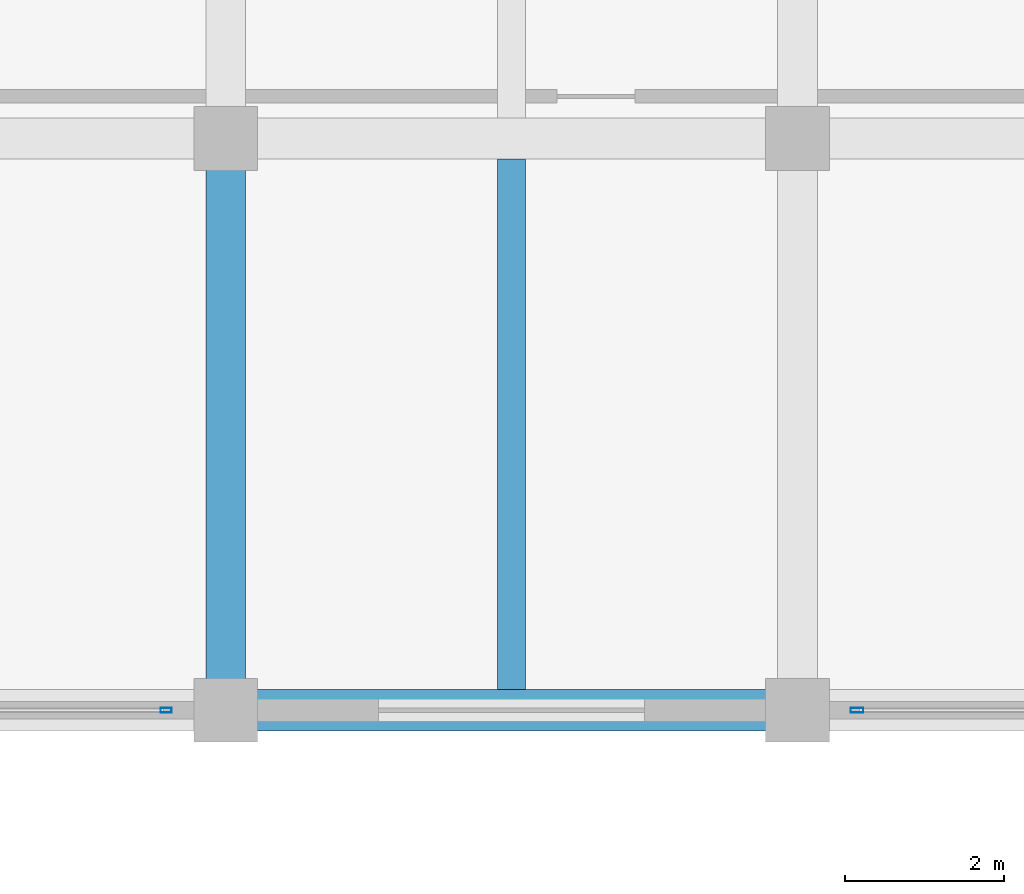
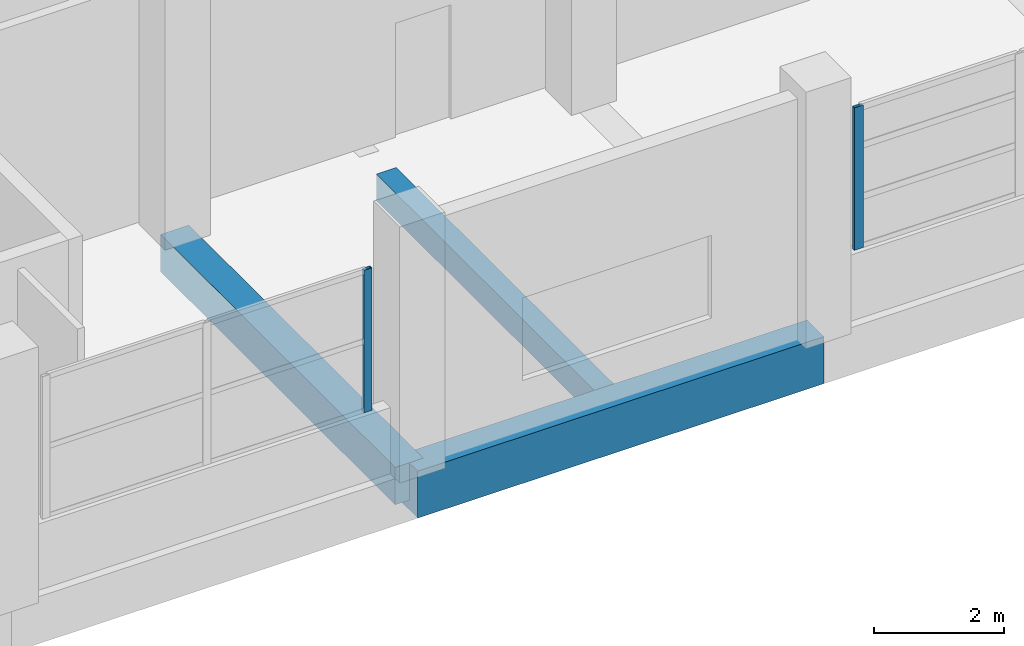
# One storey, part 68 of 140: 3 beams, 2 members, 2 elements without a shape of their own.
"""IFC4 building model written with IfcOpenShell, lengths in metres."""

import ifcopenshell
import ifcopenshell.guid

model = None  # the IFC model being written
_history = None  # IfcOwnerHistory: only IFC2X3 demands one
_inside = {}  # id of a spatial element -> (the spatial element, [elements in it])
_under = {}  # id of a project, library or spatial element -> (it, [spatial elements below it])
_declared = {}  # id of a project -> (the project, [libraries it declares])
_typed = {}  # id of a type object -> (the type object, [elements of that type])
_made_of = {}  # id of a material, layer set ... -> (it, [elements and type objects made of it])


def new_model(schema):
    """Start an empty IFC model of exactly this schema.

    Asked for "IFC4X3", IfcOpenShell would pick the latest addendum, in which some entities
    have other attributes; the version numbers below select the first issue.
    IFC2X3 requires an IfcOwnerHistory on every rooted entity: one is made here for all.
    """
    global model, _history
    if schema == "IFC4X3":
        model = ifcopenshell.file(schema_version=(4, 3, 0, 0))
    else:
        model = ifcopenshell.file(schema=schema)
    _inside.clear()
    _under.clear()
    _declared.clear()
    _typed.clear()
    _made_of.clear()
    _history = None
    if model.schema == "IFC2X3":
        org = make("IfcOrganization", Name="unknown")
        user = make(
            "IfcPersonAndOrganization",
            ThePerson=make("IfcPerson", FamilyName="unknown"),
            TheOrganization=org,
        )
        app = make(
            "IfcApplication",
            ApplicationDeveloper=org,
            Version="unknown",
            ApplicationFullName="unknown",
            ApplicationIdentifier="unknown",
        )
        _history = make(
            "IfcOwnerHistory",
            OwningUser=user,
            OwningApplication=app,
            ChangeAction="ADDED",
            CreationDate=0,
        )
    return model


def make(cls, **values):
    """One entity of the class cls with the attributes given. An attribute that is None is left unset."""
    return model.create_entity(
        cls, **{name: value for name, value in values.items() if value is not None}
    )


def rooted(cls, **values):
    """An entity with a GlobalId (a new one), such as an element, a storey or a relation."""
    return make(cls, GlobalId=ifcopenshell.guid.new(), OwnerHistory=_history, **values)


def si_unit(unit_type, name, prefix=None):
    """IfcSIUnit, for example si_unit("LENGTHUNIT", "METRE", prefix="MILLI")."""
    return make("IfcSIUnit", UnitType=unit_type, Prefix=prefix, Name=name)


def assignment(units):
    """IfcUnitAssignment: the units of a project."""
    return None if units is None else make("IfcUnitAssignment", Units=units)


def point(xyz):
    """IfcCartesianPoint."""
    return None if xyz is None else make("IfcCartesianPoint", Coordinates=xyz)


def direction(xyz):
    """IfcDirection."""
    return None if xyz is None else make("IfcDirection", DirectionRatios=xyz)


def frame(location, z_axis=None, x_axis=None):
    """IfcAxis2Placement3D, a coordinate frame: its origin and axes. An axis left out is left unset."""
    return make(
        "IfcAxis2Placement3D",
        Location=point(location),
        Axis=direction(z_axis),
        RefDirection=direction(x_axis),
    )


def frame_2d(location, x_axis=None):
    """IfcAxis2Placement2D, a coordinate frame in the plane: its origin and x axis."""
    return make(
        "IfcAxis2Placement2D", Location=point(location), RefDirection=direction(x_axis)
    )


def origin():
    """The frame at (0, 0, 0) with its axes left unset."""
    return frame((0.0, 0.0, 0.0))


def origin_2d():
    """The frame at (0, 0) in the plane with its x axis left unset."""
    return frame_2d((0.0, 0.0))


def place(relative_to, where):
    """IfcLocalPlacement: puts the frame where relative to a parent placement (None: the world)."""
    return make(
        "IfcLocalPlacement", PlacementRelTo=relative_to, RelativePlacement=where
    )


def context(
    kind, dimensions, precision=None, world=None, true_north=None, identifier=None
):
    """IfcGeometricRepresentationContext, for example the 3D "Model" context."""
    return make(
        "IfcGeometricRepresentationContext",
        ContextIdentifier=identifier,
        ContextType=kind,
        CoordinateSpaceDimension=dimensions,
        Precision=precision,
        WorldCoordinateSystem=world,
        TrueNorth=true_north,
    )


def subcontext(parent, identifier, kind, view, scale=None):
    """IfcGeometricRepresentationSubContext, for example "Body" below "Model"."""
    return make(
        "IfcGeometricRepresentationSubContext",
        ContextIdentifier=identifier,
        ContextType=kind,
        ParentContext=parent,
        TargetScale=scale,
        TargetView=view,
    )


def project(units=None, contexts=None):
    """IfcProject with its units and contexts."""
    return rooted(
        "IfcProject",
        Name="project",
        RepresentationContexts=contexts,
        UnitsInContext=assignment(units),
    )


def spatial(cls, under=None, at=None, **own):
    """A site, building, storey or space (cls), placed at a placement, below another one or the project."""
    s = rooted(cls, ObjectPlacement=at, **own)
    if under is not None:
        _under.setdefault(under.id(), (under, []))[1].append(s)
    return s


def profile(cls, at=None, kind="AREA", **sizes):
    """A parametric profile (cls). Its sizes go by their IFC names, for example OverallWidth=200.0."""
    return make(cls, ProfileType=kind, Position=at, **sizes)


def rectangle(**sizes):
    """IfcRectangleProfileDef."""
    return profile("IfcRectangleProfileDef", **sizes)


def hollow_rectangle(**sizes):
    """IfcRectangleHollowProfileDef."""
    return profile("IfcRectangleHollowProfileDef", **sizes)


def extrude(swept, where, along, depth):
    """IfcExtrudedAreaSolid: the profile swept, set in the frame where, extruded along a direction by depth."""
    return make(
        "IfcExtrudedAreaSolid",
        SweptArea=swept,
        Position=where,
        ExtrudedDirection=direction(along),
        Depth=depth,
    )


def shape(context_of_items, identifier, shape_type, items):
    """IfcShapeRepresentation: the items that make up one representation, for example the "Body"."""
    return make(
        "IfcShapeRepresentation",
        ContextOfItems=context_of_items,
        RepresentationIdentifier=identifier,
        RepresentationType=shape_type,
        Items=items,
    )


def material(Name=None, Category=None):
    """IfcMaterial."""
    return make("IfcMaterial", Name=Name, Category=Category)


def layer(
    of_material, thickness, ventilated=None, Name=None, Category=None, Priority=None
):
    """IfcMaterialLayer: one layer of a wall or slab, of a material (None: an air gap)."""
    return make(
        "IfcMaterialLayer",
        Material=of_material,
        LayerThickness=thickness,
        IsVentilated=ventilated,
        Name=Name,
        Category=Category,
        Priority=Priority,
    )


def layer_set(layers, Name=None):
    """IfcMaterialLayerSet."""
    return make("IfcMaterialLayerSet", MaterialLayers=layers, LayerSetName=Name)


def material_profile(
    of_material, cross_section, Name=None, Category=None, Priority=None
):
    """IfcMaterialProfile: a cross section and its material."""
    return make(
        "IfcMaterialProfile",
        Name=Name,
        Material=of_material,
        Profile=cross_section,
        Priority=Priority,
        Category=Category,
    )


def profile_set(profiles, Name=None, composite=None):
    """IfcMaterialProfileSet."""
    return make(
        "IfcMaterialProfileSet",
        Name=Name,
        MaterialProfiles=profiles,
        CompositeProfile=composite,
    )


def made_of(thing, what):
    """Note that an element or type object is made of a material, layer set ...; save() writes the relation."""
    if what is not None:
        _made_of.setdefault(what.id(), (what, []))[1].append(thing)
    return thing


def type_object(cls, material=None, **own):
    """A type object (cls), such as IfcWallType, which elements share."""
    return made_of(rooted(cls, **own), material)


def element(
    cls,
    number,
    at=None,
    inside=None,
    cuts=None,
    type_object=None,
    material=None,
    context=None,
    identifier="Body",
    shape_type=None,
    held_by="IfcProductDefinitionShape",
    body=None,
    shapes=None,
    **own,
):
    """One element of the class cls, such as IfcWall. Its Tag is "e" and its number.

    at: its placement. inside: the storey or other place that contains it. cuts: it is an
    opening in that element (IfcRelVoidsElement). A single representation is given by context,
    identifier, shape_type and body (its items); several are given by shapes. held_by: the class
    of the entity that holds the representations. save() writes the other relations.
    """
    e = rooted(cls, Tag="e%d" % number, ObjectPlacement=at, **own)
    if body is not None:
        shapes = [shape(context, identifier, shape_type, body)]
    if shapes is not None:
        e.Representation = make(held_by, Representations=shapes)
    if inside is not None:
        _inside.setdefault(inside.id(), (inside, []))[1].append(e)
    if cuts is not None:
        rooted(
            "IfcRelVoidsElement", RelatingBuildingElement=cuts, RelatedOpeningElement=e
        )
    if type_object is not None:
        _typed.setdefault(type_object.id(), (type_object, []))[1].append(e)
    return made_of(e, material)


def aggregate(whole, parts):
    """IfcRelAggregates: a whole, such as a stair, and the parts it consists of."""
    return rooted("IfcRelAggregates", RelatingObject=whole, RelatedObjects=parts)


def save(model, path):
    """Write the relations noted so far, then the file.

    IfcRelAggregates (storeys below a building ...), IfcRelContainedInSpatialStructure (elements
    in a storey), IfcRelDefinesByType, IfcRelAssociatesMaterial and IfcRelDeclares: one each for
    every whole, place, type object, material and project.
    """
    for whole, parts in _under.values():
        aggregate(whole, parts)
    for where, things in _inside.values():
        rooted(
            "IfcRelContainedInSpatialStructure",
            RelatedElements=things,
            RelatingStructure=where,
        )
    for kind, things in _typed.values():
        rooted("IfcRelDefinesByType", RelatedObjects=things, RelatingType=kind)
    for what, things in _made_of.values():
        rooted("IfcRelAssociatesMaterial", RelatedObjects=things, RelatingMaterial=what)
    for by, libraries in _declared.values():
        rooted("IfcRelDeclares", RelatingContext=by, RelatedDefinitions=libraries)
    model.write(path)


model = new_model("IFC4")

# Units and contexts
model_context = context("Model", 3, precision=1e-05, world=origin(), true_north=direction((0.0, 1.0)))
body_context = subcontext(model_context, "Body", "Model", "MODEL_VIEW")
ifc_project = project(units=[si_unit("LENGTHUNIT", "METRE"), si_unit("AREAUNIT", "SQUARE_METRE"), si_unit("VOLUMEUNIT", "CUBIC_METRE"), si_unit("PLANEANGLEUNIT", "RADIAN"), si_unit("MASSUNIT", "GRAM", prefix="KILO")], contexts=[model_context])

# Site, building, storey
site_placement = place(None, origin())
site = spatial("IfcSite", under=ifc_project, at=site_placement, CompositionType="ELEMENT")
building_placement = place(site_placement, origin())
building = spatial("IfcBuilding", under=site, at=building_placement, Name="Seraya Terrace Polytechnic", CompositionType="ELEMENT")
storey_placement = place(building_placement, frame((0.0, 0.0, 9.60009765625)))
storey = spatial("IfcBuildingStorey", under=building, at=storey_placement, Name="L02", CompositionType="ELEMENT", Elevation=9.60009765625)

# Beams
ifc_material_1 = material(Name="Concrete C40/50", Category="concrete")
ifc_material_profile_1 = material_profile(ifc_material_1, rectangle(XDim=0.52001953125, YDim=0.8798828125, at=origin_2d()), Name="RC 520x880")
ifc_profile_set_1 = profile_set([ifc_material_profile_1], Name="Concrete C40/50")
beam_type_1 = type_object("IfcBeamType", Name="BM-04", PredefinedType="BEAM", material=ifc_profile_set_1)
beam_1_placement = place(storey_placement, frame((64.800048828125, 64.800048828125, -0.440185546875), z_axis=(1.0, 0.0, 0.0), x_axis=(0.0, 1.0, 0.0)))
element("IfcBeam", 1, at=beam_1_placement, inside=storey, type_object=beam_type_1, Name="Beam BM-04 L02 X (64.8..72.0, 64.8)", PredefinedType="BEAM", context=body_context, shape_type="SweptSolid", body=[
    extrude(rectangle(XDim=0.52001953125, YDim=0.8798828125, at=origin_2d()), origin(), (0.0, 0.0, 1.0), 7.199951171875),
])
ifc_material_profile_2 = material_profile(ifc_material_1, rectangle(XDim=0.5, YDim=0.699951171875, at=origin_2d()), Name="RC 500x700")
ifc_profile_set_2 = profile_set([ifc_material_profile_2], Name="Concrete C40/50")
beam_type_2 = type_object("IfcBeamType", Name="BM-07", PredefinedType="BEAM", material=ifc_profile_set_2)
beam_2_placement = place(storey_placement, frame((64.800048828125, 64.800048828125, -0.35009765625), z_axis=(0.0, 1.0, 0.0), x_axis=(-1.0, 0.0, 0.0)))
element("IfcBeam", 2, at=beam_2_placement, inside=storey, type_object=beam_type_2, Name="Beam BM-07 L02 Y (64.8, 64.8..72.0)", PredefinedType="BEAM", context=body_context, shape_type="SweptSolid", body=[
    extrude(rectangle(XDim=0.5, YDim=0.699951171875, at=origin_2d()), origin(), (0.0, 0.0, 1.0), 7.199951171875),
])

# Curtain wall, member
ifc_material_2 = material(Name="Anodised aluminium EN AW-6063 T6", Category="aluminium")
ifc_layer_1 = layer(ifc_material_2, 0.179931640625, Name="CW-11")
ifc_layer_set_1 = layer_set([ifc_layer_1], Name="Anodised aluminium EN AW-6063 T6")
curtain_wall_type_1 = type_object("IfcCurtainWallType", Name="CW-11", PredefinedType="NOTDEFINED", material=ifc_layer_set_1)
curtain_wall_1_placement = place(storey_placement, origin())
curtain_wall_1 = element("IfcCurtainWall", 3, at=curtain_wall_1_placement, inside=storey, type_object=curtain_wall_type_1, Name="Unitised curtain wall CW-11 (CW-L02-083)", PredefinedType="NOTDEFINED")
ifc_material_profile_3 = material_profile(ifc_material_2, hollow_rectangle(XDim=0.06005859375, YDim=0.159912109375, WallThickness=0.00341796875, at=origin_2d()), Name="RHS 160x60x3.5")
ifc_profile_set_3 = profile_set([ifc_material_profile_3], Name="Anodised aluminium EN AW-6063 T6")
member_type_1 = type_object("IfcMemberType", Name="CWM-02", PredefinedType="MULLION", material=ifc_profile_set_3)
member_1_placement = place(storey_placement, frame((72.75, 64.800048828125, 1.239990234375), z_axis=(0.0, 0.0, 1.0), x_axis=(0.0, -1.0, 0.0)))
member_1 = element("IfcMember", 4, at=member_1_placement, type_object=member_type_1, Name="CW-11 mullion 3", PredefinedType="MULLION", context=body_context, shape_type="SweptSolid", body=[
    extrude(hollow_rectangle(XDim=0.06005859375, YDim=0.159912109375, WallThickness=0.00341796875, at=origin_2d()), origin(), (0.0, 0.0, 1.0), 2.669921875),
])
aggregate(curtain_wall_1, [member_1])

ifc_layer_2 = layer(ifc_material_2, 0.179931640625, Name="CW-12")
ifc_layer_set_2 = layer_set([ifc_layer_2], Name="Anodised aluminium EN AW-6063 T6")
curtain_wall_type_2 = type_object("IfcCurtainWallType", Name="CW-12", PredefinedType="NOTDEFINED", material=ifc_layer_set_2)
curtain_wall_2_placement = place(storey_placement, origin())
curtain_wall_2 = element("IfcCurtainWall", 5, at=curtain_wall_2_placement, inside=storey, type_object=curtain_wall_type_2, Name="Unitised curtain wall CW-12 (CW-L02-084)", PredefinedType="NOTDEFINED")
ifc_material_profile_4 = material_profile(ifc_material_2, hollow_rectangle(XDim=0.06005859375, YDim=0.139892578125, WallThickness=0.00341796875, at=origin_2d()), Name="RHS 140x60x3.5")
ifc_profile_set_4 = profile_set([ifc_material_profile_4], Name="Anodised aluminium EN AW-6063 T6")
member_type_2 = type_object("IfcMemberType", Name="CWM-03", PredefinedType="MULLION", material=ifc_profile_set_4)
member_2_placement = place(storey_placement, frame((64.050048828125, 64.800048828125, 1.239990234375), z_axis=(0.0, 0.0, 1.0), x_axis=(0.0, -1.0, 0.0)))
member_2 = element("IfcMember", 6, at=member_2_placement, type_object=member_type_2, Name="CW-12 mullion 1", PredefinedType="MULLION", context=body_context, shape_type="SweptSolid", body=[
    extrude(hollow_rectangle(XDim=0.06005859375, YDim=0.139892578125, WallThickness=0.00341796875, at=origin_2d()), origin(), (0.0, 0.0, 1.0), 2.669921875),
])
aggregate(curtain_wall_2, [member_2])

# Beam
ifc_material_profile_5 = material_profile(ifc_material_1, rectangle(XDim=0.35009765625, YDim=0.5, at=origin_2d()), Name="RC 350x500")
ifc_profile_set_5 = profile_set([ifc_material_profile_5], Name="Concrete C40/50")
beam_type_3 = type_object("IfcBeamType", Name="JS-03", PredefinedType="JOIST", material=ifc_profile_set_5)
beam_3_placement = place(storey_placement, frame((68.39990234375, 65.06005859375, -0.25), z_axis=(0.0, 1.0, 0.0), x_axis=(-1.0, 0.0, 0.0)))
element("IfcBeam", 7, at=beam_3_placement, inside=storey, type_object=beam_type_3, Name="Secondary joist JS-03 L02", PredefinedType="JOIST", context=body_context, shape_type="SweptSolid", body=[
    extrude(rectangle(XDim=0.35009765625, YDim=0.5, at=origin_2d()), origin(), (0.0, 0.0, 1.0), 6.679931640625),
])

save(model, "model.ifc")
